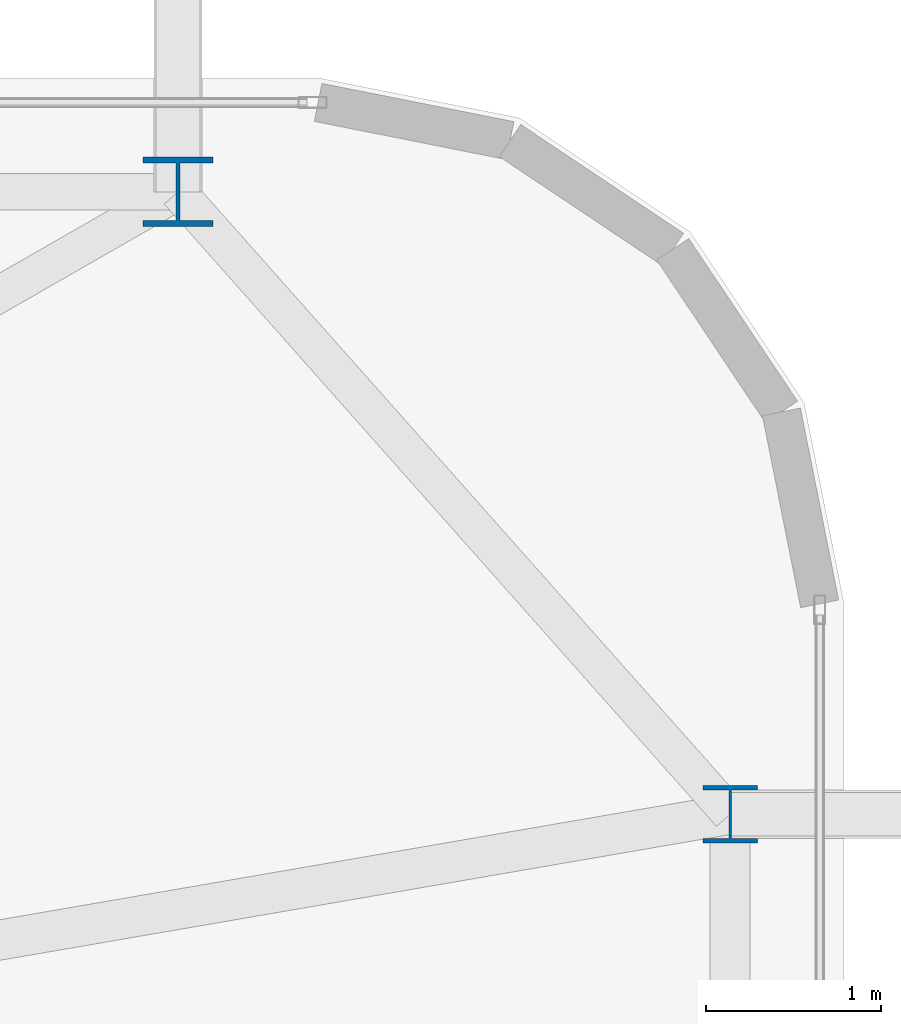
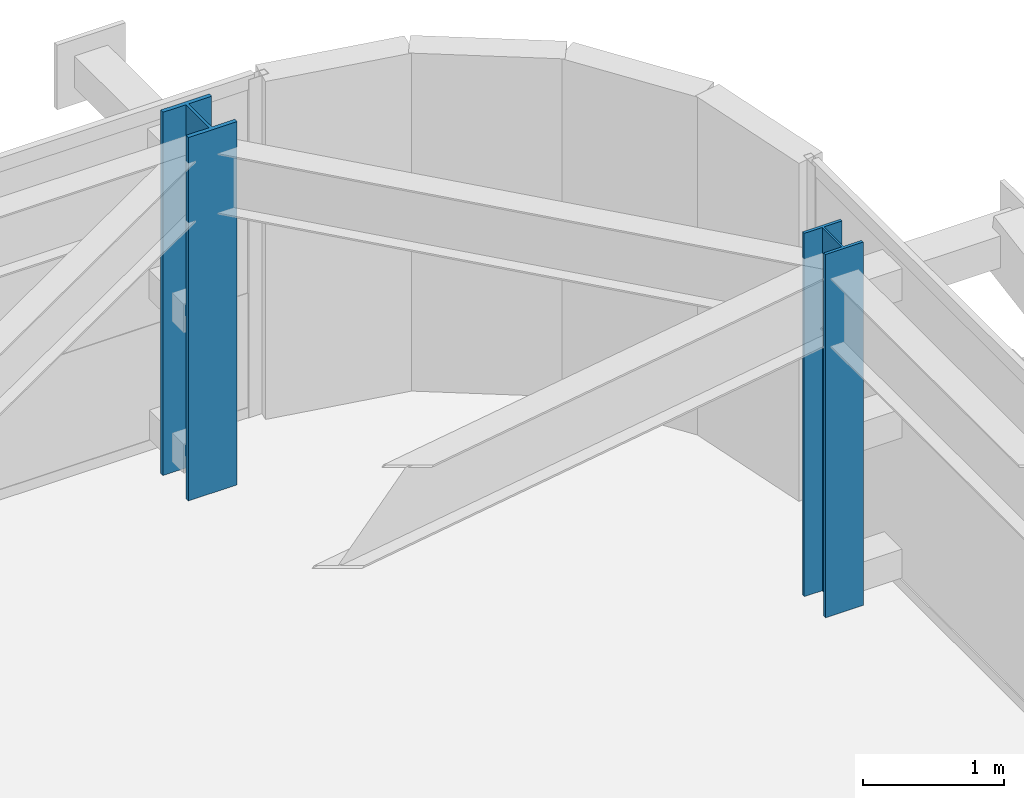
# One storey, part 4 of 59: 2 columns.
"""IFC4 building model written with IfcOpenShell, lengths in metres."""

from ifc_helpers import new_model, si_unit, direction, frame, origin, origin_2d, place, context, subcontext, project, spatial, i_section, extrude, source, transform, mapped, material, material_profile, profile_set, type_object, element, save


model = new_model("IFC4")

# Units and contexts
model_context = context("Model", 3, precision=1e-05, world=origin(), true_north=direction((0.0, 1.0)))
body_context = subcontext(model_context, "Body", "Model", "MODEL_VIEW")
ifc_project = project(units=[si_unit("LENGTHUNIT", "METRE"), si_unit("AREAUNIT", "SQUARE_METRE"), si_unit("VOLUMEUNIT", "CUBIC_METRE"), si_unit("PLANEANGLEUNIT", "RADIAN"), si_unit("MASSUNIT", "GRAM", prefix="KILO")], contexts=[model_context])

# Site, building, storey
site_placement = place(None, origin())
site = spatial("IfcSite", under=ifc_project, at=site_placement, CompositionType="ELEMENT")
building_placement = place(site_placement, origin())
building = spatial("IfcBuilding", under=site, at=building_placement, Name="Taldren Reach Tower", CompositionType="ELEMENT")
storey_placement = place(building_placement, frame((0.0, 0.0, 26.25)))
storey = spatial("IfcBuildingStorey", under=building, at=storey_placement, Name="L07", CompositionType="ELEMENT", Elevation=26.25)

# Columns
ifc_material = material(Name="Steel Gr 350 (350PLUS)", Category="steel")
ifc_material_profile_1 = material_profile(ifc_material, i_section(OverallWidth=0.39990234375, OverallDepth=0.39599609375, WebThickness=0.02197265625, FlangeThickness=0.033935546875, at=origin_2d()), Name="400WC270")
ifc_profile_set_1 = profile_set([ifc_material_profile_1], Name="Steel Gr 350 (350PLUS)")
column_type_1 = type_object("IfcColumnType", Name="COL-WC400", PredefinedType="COLUMN", material=ifc_profile_set_1)
shared_shape_1 = source(origin(), body_context, "Body", "SweptSolid", [
    extrude(i_section(OverallWidth=0.39990234375, OverallDepth=0.39599609375, WebThickness=0.02197265625, FlangeThickness=0.033935546875, at=origin_2d()), origin(), (0.0, 0.0, 1.0), 3.14990234375),
])
column_1_placement = place(storey_placement, frame((61.199951171875, 37.85009765625, 0.0), z_axis=(0.0, 0.0, 1.0), x_axis=(1.0, 0.0, 0.0)))
element("IfcColumn", 1, at=column_1_placement, inside=storey, type_object=column_type_1, Name="Block B1 perimeter column N6 L07", PredefinedType="COLUMN", context=body_context, shape_type="MappedRepresentation", body=[
    mapped(shared_shape_1, transform((0.0, 0.0, 0.0), scale=1.0)),
])
ifc_material_profile_2 = material_profile(ifc_material, i_section(OverallWidth=0.31103515625, OverallDepth=0.326904296875, WebThickness=0.015625, FlangeThickness=0.02490234375, at=origin_2d()), Name="310UC158")
ifc_profile_set_2 = profile_set([ifc_material_profile_2], Name="Steel Gr 350 (350PLUS)")
column_type_2 = type_object("IfcColumnType", Name="COL-UC310A", PredefinedType="COLUMN", material=ifc_profile_set_2)
shared_shape_2 = source(origin(), body_context, "Body", "SweptSolid", [
    extrude(i_section(OverallWidth=0.31103515625, OverallDepth=0.326904296875, WebThickness=0.015625, FlangeThickness=0.02490234375, at=origin_2d()), origin(), (0.0, 0.0, 1.0), 3.14990234375),
])
column_2_placement = place(storey_placement, frame((64.35009765625, 34.300048828125, 0.0), z_axis=(0.0, 0.0, 1.0), x_axis=(1.0, 0.0, 0.0)))
element("IfcColumn", 2, at=column_2_placement, inside=storey, type_object=column_type_2, Name="Block B1 perimeter column E3 L07", PredefinedType="COLUMN", context=body_context, shape_type="MappedRepresentation", body=[
    mapped(shared_shape_2, transform((0.0, 0.0, 0.0), scale=1.0)),
])

save(model, "model.ifc")
